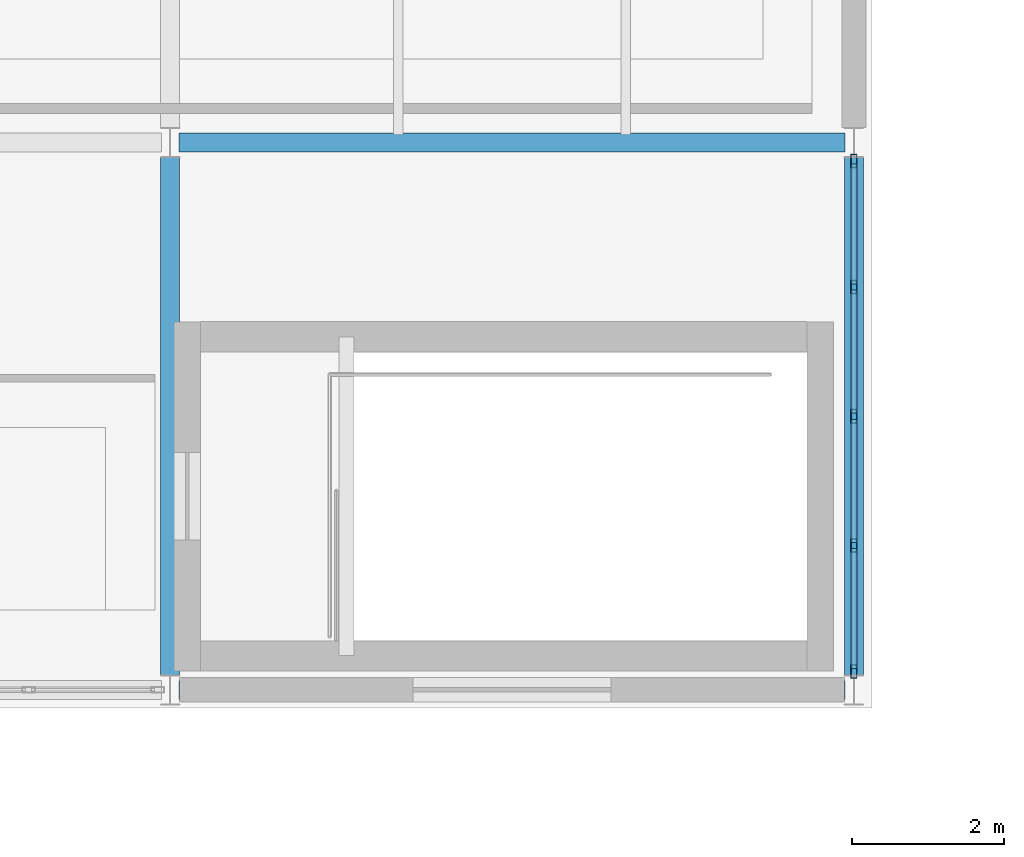
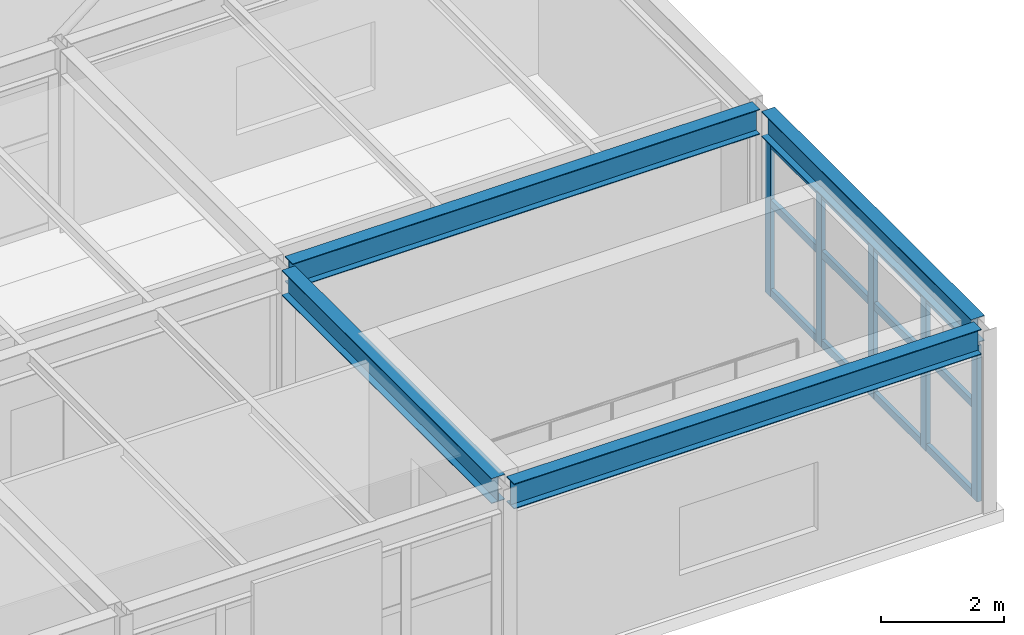
# One storey, part 22 of 48: 17 members, 4 beams, 1 element without a shape of its own.
"""IFC4 building model written with IfcOpenShell, lengths in metres."""

from ifc_helpers import new_model, si_unit, direction, frame, origin, origin_2d, place, context, subcontext, project, spatial, hollow_rectangle, i_section, extrude, material, layer, layer_set, material_profile, profile_set, type_object, element, aggregate, save


model = new_model("IFC4")

# Units and contexts
model_context = context("Model", 3, precision=1e-05, world=origin(), true_north=direction((0.0, 1.0)))
body_context = subcontext(model_context, "Body", "Model", "MODEL_VIEW")
ifc_project = project(units=[si_unit("LENGTHUNIT", "METRE"), si_unit("AREAUNIT", "SQUARE_METRE"), si_unit("VOLUMEUNIT", "CUBIC_METRE"), si_unit("PLANEANGLEUNIT", "RADIAN"), si_unit("MASSUNIT", "GRAM", prefix="KILO")], contexts=[model_context])

# Site, building, storey
site_placement = place(None, origin())
site = spatial("IfcSite", under=ifc_project, at=site_placement, CompositionType="ELEMENT")
building_placement = place(site_placement, origin())
building = spatial("IfcBuilding", under=site, at=building_placement, Name="Kandorven Conservatory and Botanical Research Centre", CompositionType="ELEMENT")
storey_placement = place(building_placement, frame((0.0, 0.0, 13.199951171875)))
storey = spatial("IfcBuildingStorey", under=building, at=storey_placement, Name="L03", CompositionType="ELEMENT", Elevation=13.199951171875)

# Beams
ifc_material_1 = material(Name="Steel S355 (IS 2062 E350)", Category="steel")
ifc_material_profile_1 = material_profile(ifc_material_1, i_section(OverallWidth=0.25, OverallDepth=0.5, WebThickness=0.010009765625, FlangeThickness=0.0146484375, at=origin_2d()))
ifc_profile_set_1 = profile_set([ifc_material_profile_1], Name="Steel S355 (IS 2062 E350)")
beam_type = type_object("IfcBeamType", Name="Beam_FG-02", PredefinedType="USERDEFINED", material=ifc_profile_set_1)
for number, where, z_axis, x_axis, name in (
    (1, (78.114990234375, 13.199951171875, 3.375), (1.0, 0.0, 0.0), (0.0, 1.0, 0.0), "Primary girder FG-02 VIS L03"),
    (2, (78.114990234375, 20.39990234375, 3.375), (1.0, 0.0, 0.0), (0.0, 1.0, 0.0), "Primary girder FG-02 VIS L03"),
):
    element("IfcBeam", number, at=place(storey_placement, frame(where, z_axis=z_axis, x_axis=x_axis)), inside=storey, type_object=beam_type, Name=name, ObjectType="GIRDER", PredefinedType="USERDEFINED", context=body_context, shape_type="SweptSolid", body=[
        extrude(i_section(OverallWidth=0.25, OverallDepth=0.5, WebThickness=0.010009765625, FlangeThickness=0.0146484375, at=origin_2d()), origin(), (0.0, 0.0, 1.0), 8.77001953125),
    ])
for number, where, z_axis, x_axis, name in (
    (3, (78.0, 13.389892578125, 3.375), (0.0, 1.0, 0.0), (-1.0, 0.0, 0.0), "Primary girder FG-02 VIS L03"),
    (4, (87.0, 13.389892578125, 3.375), (0.0, 1.0, 0.0), (-1.0, 0.0, 0.0), "Primary girder FG-02 VIS L03"),
):
    element("IfcBeam", number, at=place(storey_placement, frame(where, z_axis=z_axis, x_axis=x_axis)), inside=storey, type_object=beam_type, Name=name, ObjectType="GIRDER", PredefinedType="USERDEFINED", context=body_context, shape_type="SweptSolid", body=[
        extrude(i_section(OverallWidth=0.25, OverallDepth=0.5, WebThickness=0.010009765625, FlangeThickness=0.0146484375, at=origin_2d()), origin(), (0.0, 0.0, 1.0), 6.820068359375),
    ])

# Curtain wall, members
ifc_material_2 = material(Name="Bronze anodised thermally broken aluminium", Category="aluminium")
ifc_layer = layer(ifc_material_2, 0.179931640625)
ifc_layer_set = layer_set([ifc_layer], Name="Bronze anodised thermally broken aluminium")
curtain_wall_type = type_object("IfcCurtainWallType", Name="CW_Unitised", PredefinedType="USERDEFINED", material=ifc_layer_set)
curtain_wall_placement = place(storey_placement, origin())
curtain_wall = element("IfcCurtainWall", 5, at=curtain_wall_placement, inside=storey, type_object=curtain_wall_type, Name="Visitor wing east curtain wall CW-VIS-E-L03-1", ObjectType="UNITISED GLAZING", PredefinedType="USERDEFINED")
ifc_material_3 = material(Name="Bronze anodised thermally broken aluminium", Category="aluminium")
ifc_material_profile_2 = material_profile(ifc_material_3, hollow_rectangle(XDim=0.080078125, YDim=0.179931640625, WallThickness=0.006103515625, at=origin_2d()))
ifc_profile_set_2 = profile_set([ifc_material_profile_2], Name="Bronze anodised thermally broken aluminium")
member_type_1 = type_object("IfcMemberType", Name="CW_Mullion", PredefinedType="MULLION", material=ifc_profile_set_2)
member_1_placement = place(storey_placement, frame((87.0, 13.43994140625, 0.0), z_axis=(0.0, 0.0, 1.0), x_axis=(-1.0, 0.0, 0.0)))
member_1 = element("IfcMember", 6, at=member_1_placement, type_object=member_type_1, Name="CW-01 mullion 1", PredefinedType="MULLION", context=body_context, shape_type="SweptSolid", body=[
    extrude(hollow_rectangle(XDim=0.080078125, YDim=0.179931640625, WallThickness=0.006103515625, at=origin_2d()), origin(), (0.0, 0.0, 1.0), 3.10009765625),
])
member_2_placement = place(storey_placement, frame((87.0, 15.10009765625, 0.0), z_axis=(0.0, 0.0, 1.0), x_axis=(-1.0, 0.0, 0.0)))
member_2 = element("IfcMember", 7, at=member_2_placement, type_object=member_type_1, Name="CW-01 mullion 2", PredefinedType="MULLION", context=body_context, shape_type="SweptSolid", body=[
    extrude(hollow_rectangle(XDim=0.080078125, YDim=0.179931640625, WallThickness=0.006103515625, at=origin_2d()), origin(), (0.0, 0.0, 1.0), 3.10009765625),
])
member_3_placement = place(storey_placement, frame((87.0, 16.800048828125, 0.0), z_axis=(0.0, 0.0, 1.0), x_axis=(-1.0, 0.0, 0.0)))
member_3 = element("IfcMember", 8, at=member_3_placement, type_object=member_type_1, Name="CW-01 mullion 3", PredefinedType="MULLION", context=body_context, shape_type="SweptSolid", body=[
    extrude(hollow_rectangle(XDim=0.080078125, YDim=0.179931640625, WallThickness=0.006103515625, at=origin_2d()), origin(), (0.0, 0.0, 1.0), 3.10009765625),
])
member_4_placement = place(storey_placement, frame((87.0, 18.5, 0.0), z_axis=(0.0, 0.0, 1.0), x_axis=(-1.0, 0.0, 0.0)))
member_4 = element("IfcMember", 9, at=member_4_placement, type_object=member_type_1, Name="CW-01 mullion 4", PredefinedType="MULLION", context=body_context, shape_type="SweptSolid", body=[
    extrude(hollow_rectangle(XDim=0.080078125, YDim=0.179931640625, WallThickness=0.006103515625, at=origin_2d()), origin(), (0.0, 0.0, 1.0), 3.10009765625),
])
member_5_placement = place(storey_placement, frame((87.0, 20.159912109375, 0.0), z_axis=(0.0, 0.0, 1.0), x_axis=(-1.0, 0.0, 0.0)))
member_5 = element("IfcMember", 10, at=member_5_placement, type_object=member_type_1, Name="CW-01 mullion 5", PredefinedType="MULLION", context=body_context, shape_type="SweptSolid", body=[
    extrude(hollow_rectangle(XDim=0.080078125, YDim=0.179931640625, WallThickness=0.006103515625, at=origin_2d()), origin(), (0.0, 0.0, 1.0), 3.10009765625),
])
ifc_material_4 = material(Name="Bronze anodised thermally broken aluminium", Category="aluminium")
ifc_material_profile_3 = material_profile(ifc_material_4, hollow_rectangle(XDim=0.074951171875, YDim=0.14990234375, WallThickness=0.006103515625, at=origin_2d()))
ifc_profile_set_3 = profile_set([ifc_material_profile_3], Name="Bronze anodised thermally broken aluminium")
member_type_2 = type_object("IfcMemberType", Name="CW_Transom", PredefinedType="USERDEFINED", material=ifc_profile_set_3)
member_6_placement = place(storey_placement, frame((87.0, 13.47998046875, 0.074951171875), z_axis=(0.0, 1.0, 0.0), x_axis=(-1.0, 0.0, 0.0)))
member_6 = element("IfcMember", 11, at=member_6_placement, type_object=member_type_2, Name="CW-01 transom 1.1", ObjectType="TRANSOM", PredefinedType="USERDEFINED", context=body_context, shape_type="SweptSolid", body=[
    extrude(hollow_rectangle(XDim=0.074951171875, YDim=0.14990234375, WallThickness=0.006103515625, at=origin_2d()), origin(), (0.0, 0.0, 1.0), 1.580078125),
])
member_7_placement = place(storey_placement, frame((87.0, 13.47998046875, 1.85009765625), z_axis=(0.0, 1.0, 0.0), x_axis=(-1.0, 0.0, 0.0)))
member_7 = element("IfcMember", 12, at=member_7_placement, type_object=member_type_2, Name="CW-01 transom 1.2", ObjectType="TRANSOM", PredefinedType="USERDEFINED", context=body_context, shape_type="SweptSolid", body=[
    extrude(hollow_rectangle(XDim=0.074951171875, YDim=0.14990234375, WallThickness=0.006103515625, at=origin_2d()), origin(), (0.0, 0.0, 1.0), 1.580078125),
])
member_8_placement = place(storey_placement, frame((87.0, 13.47998046875, 3.025146484375), z_axis=(0.0, 1.0, 0.0), x_axis=(-1.0, 0.0, 0.0)))
member_8 = element("IfcMember", 13, at=member_8_placement, type_object=member_type_2, Name="CW-01 transom 1.3", ObjectType="TRANSOM", PredefinedType="USERDEFINED", context=body_context, shape_type="SweptSolid", body=[
    extrude(hollow_rectangle(XDim=0.074951171875, YDim=0.14990234375, WallThickness=0.006103515625, at=origin_2d()), origin(), (0.0, 0.0, 1.0), 1.580078125),
])
member_9_placement = place(storey_placement, frame((87.0, 15.139892578125, 0.074951171875), z_axis=(0.0, 1.0, 0.0), x_axis=(-1.0, 0.0, 0.0)))
member_9 = element("IfcMember", 14, at=member_9_placement, type_object=member_type_2, Name="CW-01 transom 2.1", ObjectType="TRANSOM", PredefinedType="USERDEFINED", context=body_context, shape_type="SweptSolid", body=[
    extrude(hollow_rectangle(XDim=0.074951171875, YDim=0.14990234375, WallThickness=0.006103515625, at=origin_2d()), origin(), (0.0, 0.0, 1.0), 1.6201171875),
])
member_10_placement = place(storey_placement, frame((87.0, 15.139892578125, 1.85009765625), z_axis=(0.0, 1.0, 0.0), x_axis=(-1.0, 0.0, 0.0)))
member_10 = element("IfcMember", 15, at=member_10_placement, type_object=member_type_2, Name="CW-01 transom 2.2", ObjectType="TRANSOM", PredefinedType="USERDEFINED", context=body_context, shape_type="SweptSolid", body=[
    extrude(hollow_rectangle(XDim=0.074951171875, YDim=0.14990234375, WallThickness=0.006103515625, at=origin_2d()), origin(), (0.0, 0.0, 1.0), 1.6201171875),
])
member_11_placement = place(storey_placement, frame((87.0, 15.139892578125, 3.025146484375), z_axis=(0.0, 1.0, 0.0), x_axis=(-1.0, 0.0, 0.0)))
member_11 = element("IfcMember", 16, at=member_11_placement, type_object=member_type_2, Name="CW-01 transom 2.3", ObjectType="TRANSOM", PredefinedType="USERDEFINED", context=body_context, shape_type="SweptSolid", body=[
    extrude(hollow_rectangle(XDim=0.074951171875, YDim=0.14990234375, WallThickness=0.006103515625, at=origin_2d()), origin(), (0.0, 0.0, 1.0), 1.6201171875),
])
member_12_placement = place(storey_placement, frame((87.0, 16.840087890625, 0.074951171875), z_axis=(0.0, 1.0, 0.0), x_axis=(-1.0, 0.0, 0.0)))
member_12 = element("IfcMember", 17, at=member_12_placement, type_object=member_type_2, Name="CW-01 transom 3.1", ObjectType="TRANSOM", PredefinedType="USERDEFINED", context=body_context, shape_type="SweptSolid", body=[
    extrude(hollow_rectangle(XDim=0.074951171875, YDim=0.14990234375, WallThickness=0.006103515625, at=origin_2d()), origin(), (0.0, 0.0, 1.0), 1.619873046875),
])
member_13_placement = place(storey_placement, frame((87.0, 16.840087890625, 1.85009765625), z_axis=(0.0, 1.0, 0.0), x_axis=(-1.0, 0.0, 0.0)))
member_13 = element("IfcMember", 18, at=member_13_placement, type_object=member_type_2, Name="CW-01 transom 3.2", ObjectType="TRANSOM", PredefinedType="USERDEFINED", context=body_context, shape_type="SweptSolid", body=[
    extrude(hollow_rectangle(XDim=0.074951171875, YDim=0.14990234375, WallThickness=0.006103515625, at=origin_2d()), origin(), (0.0, 0.0, 1.0), 1.619873046875),
])
member_14_placement = place(storey_placement, frame((87.0, 16.840087890625, 3.025146484375), z_axis=(0.0, 1.0, 0.0), x_axis=(-1.0, 0.0, 0.0)))
member_14 = element("IfcMember", 19, at=member_14_placement, type_object=member_type_2, Name="CW-01 transom 3.3", ObjectType="TRANSOM", PredefinedType="USERDEFINED", context=body_context, shape_type="SweptSolid", body=[
    extrude(hollow_rectangle(XDim=0.074951171875, YDim=0.14990234375, WallThickness=0.006103515625, at=origin_2d()), origin(), (0.0, 0.0, 1.0), 1.619873046875),
])
member_15_placement = place(storey_placement, frame((87.0, 18.5400390625, 0.074951171875), z_axis=(0.0, 1.0, 0.0), x_axis=(-1.0, 0.0, 0.0)))
member_15 = element("IfcMember", 20, at=member_15_placement, type_object=member_type_2, Name="CW-01 transom 4.1", ObjectType="TRANSOM", PredefinedType="USERDEFINED", context=body_context, shape_type="SweptSolid", body=[
    extrude(hollow_rectangle(XDim=0.074951171875, YDim=0.14990234375, WallThickness=0.006103515625, at=origin_2d()), origin(), (0.0, 0.0, 1.0), 1.580078125),
])
member_16_placement = place(storey_placement, frame((87.0, 18.5400390625, 1.85009765625), z_axis=(0.0, 1.0, 0.0), x_axis=(-1.0, 0.0, 0.0)))
member_16 = element("IfcMember", 21, at=member_16_placement, type_object=member_type_2, Name="CW-01 transom 4.2", ObjectType="TRANSOM", PredefinedType="USERDEFINED", context=body_context, shape_type="SweptSolid", body=[
    extrude(hollow_rectangle(XDim=0.074951171875, YDim=0.14990234375, WallThickness=0.006103515625, at=origin_2d()), origin(), (0.0, 0.0, 1.0), 1.580078125),
])
member_17_placement = place(storey_placement, frame((87.0, 18.5400390625, 3.025146484375), z_axis=(0.0, 1.0, 0.0), x_axis=(-1.0, 0.0, 0.0)))
member_17 = element("IfcMember", 22, at=member_17_placement, type_object=member_type_2, Name="CW-01 transom 4.3", ObjectType="TRANSOM", PredefinedType="USERDEFINED", context=body_context, shape_type="SweptSolid", body=[
    extrude(hollow_rectangle(XDim=0.074951171875, YDim=0.14990234375, WallThickness=0.006103515625, at=origin_2d()), origin(), (0.0, 0.0, 1.0), 1.580078125),
])
aggregate(curtain_wall, [member_1, member_2, member_3, member_4, member_5, member_6, member_7, member_8, member_9, member_10, member_11, member_12, member_13, member_14, member_15, member_16, member_17])

save(model, "model.ifc")
